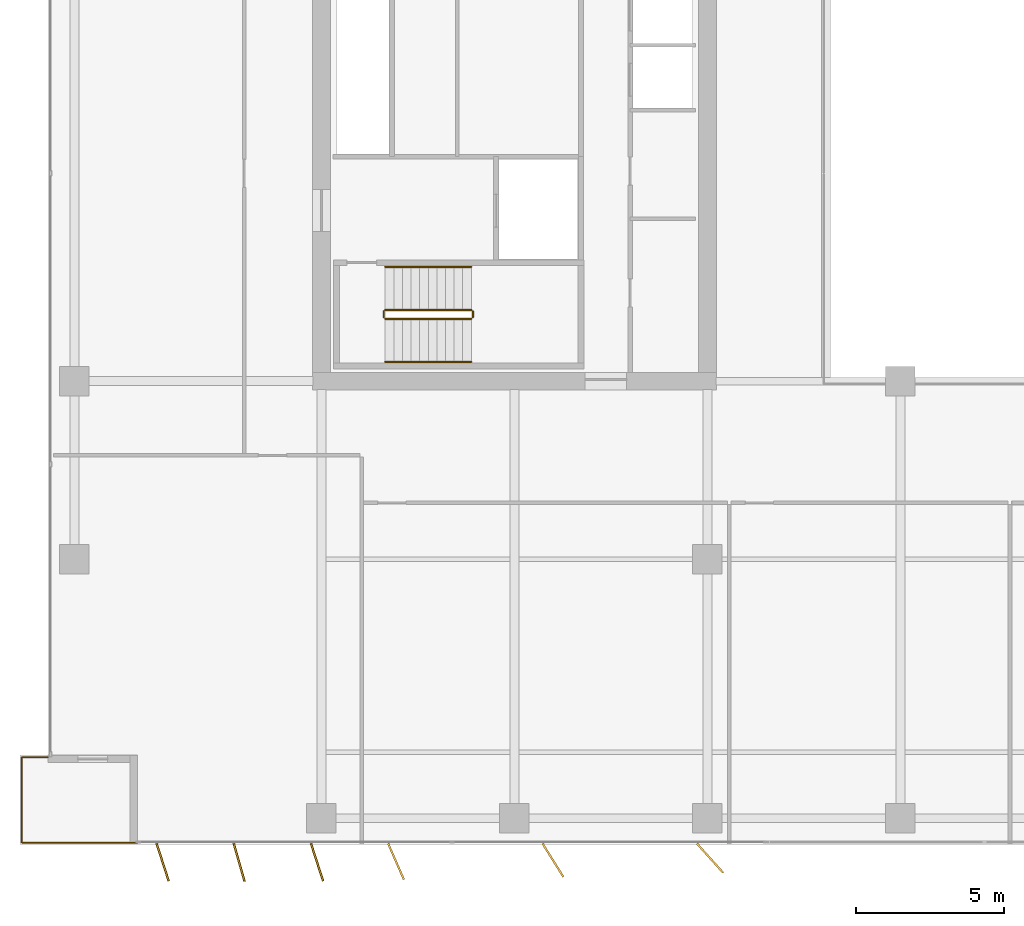
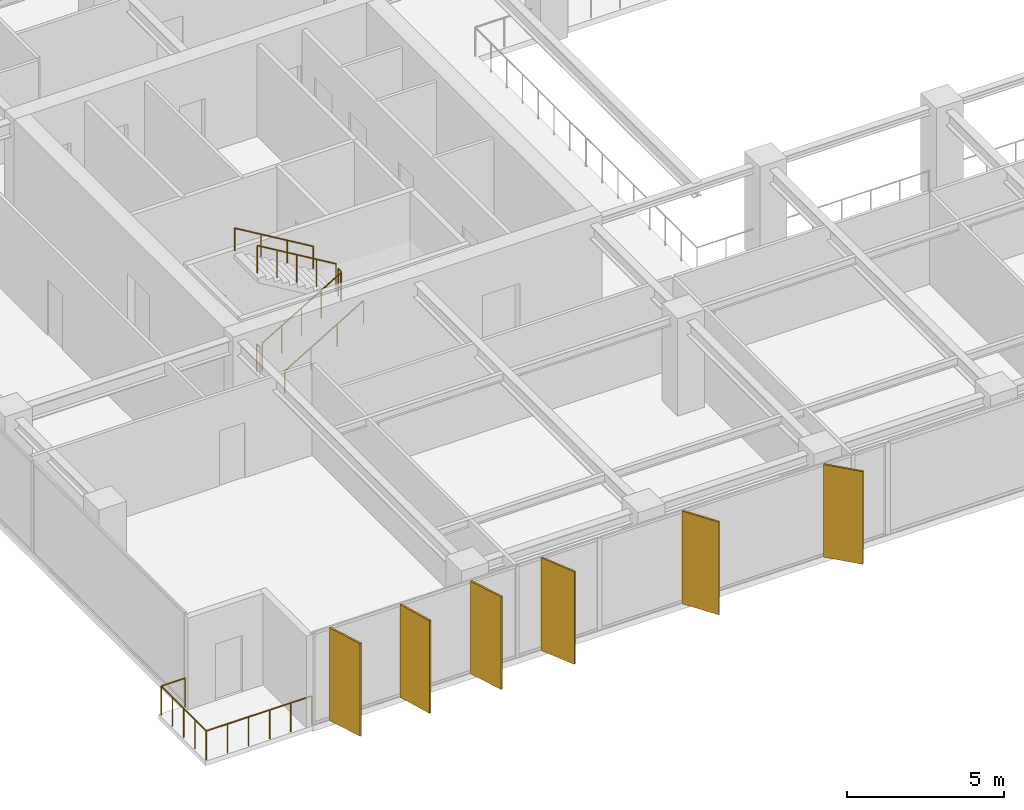
# One storey, part 19 of 22: 7 railings, 6 shading devices.
"""IFC4 building model written with IfcOpenShell, lengths in metres."""

from ifc_helpers import new_model, si_unit, direction, frame, origin, origin_2d, place, context, subcontext, project, spatial, rectangle, circle, extrude, material, layer, layer_set, type_object, element, save


model = new_model("IFC4")

# Units and contexts
model_context = context("Model", 3, precision=1e-05, world=origin(), true_north=direction((0.0, 1.0)))
body_context = subcontext(model_context, "Body", "Model", "MODEL_VIEW")
ifc_project = project(units=[si_unit("LENGTHUNIT", "METRE"), si_unit("AREAUNIT", "SQUARE_METRE"), si_unit("VOLUMEUNIT", "CUBIC_METRE"), si_unit("PLANEANGLEUNIT", "RADIAN"), si_unit("MASSUNIT", "GRAM", prefix="KILO")], contexts=[model_context])

# Site, building, storey
site_placement = place(None, origin())
site = spatial("IfcSite", under=ifc_project, at=site_placement, CompositionType="ELEMENT")
building_placement = place(site_placement, origin())
building = spatial("IfcBuilding", under=site, at=building_placement, Name="Putna Gate Headquarters", CompositionType="ELEMENT")
storey_placement = place(building_placement, frame((0.0, 0.0, 167.0)))
storey = spatial("IfcBuildingStorey", under=building, at=storey_placement, Name="L41", CompositionType="ELEMENT", Elevation=167.0)

# Railings
ifc_material_1 = material(Name="Powder-coated steel stair guardrail", Category="steel")
railing_type_1 = type_object("IfcRailingType", Name="RAIL-STAIR-GUARD-1100", PredefinedType="GUARDRAIL", material=ifc_material_1)
railing_1_placement = place(storey_placement, frame((15.14990234375, 21.10009765625, 0.172607421875)))
element("IfcRailing", 1, at=railing_1_placement, inside=storey, type_object=railing_type_1, Name="L41 ST1 stair guard 1", PredefinedType="GUARDRAIL", context=body_context, shape_type="SweptSolid", body=[
    extrude(circle(Radius=0.02392578125, at=origin_2d()), frame((0.0, 0.0, 1.076171875), z_axis=(0.859160404282, 0.0, 0.51170636083), x_axis=(0.0, 1.0, 0.0)), (0.0, 0.0, 1.0), 3.37548828125),
    extrude(circle(Radius=0.02099609375, at=origin_2d()), origin(), (0.0, 0.0, 1.0), 1.052001953125),
    extrude(circle(Radius=0.02099609375, at=origin_2d()), frame((0.72509765625, 0.0, 0.431884765625)), (0.0, 0.0, 1.0), 1.052001953125),
    extrude(circle(Radius=0.02099609375, at=origin_2d()), frame((1.4501953125, 0.0, 0.86376953125)), (0.0, 0.0, 1.0), 1.052001953125),
    extrude(circle(Radius=0.02099609375, at=origin_2d()), frame((2.175048828125, 0.0, 1.29541015625)), (0.0, 0.0, 1.0), 1.052001953125),
    extrude(circle(Radius=0.02099609375, at=origin_2d()), frame((2.900146484375, 0.0, 1.727294921875)), (0.0, 0.0, 1.0), 1.052001953125),
])
railing_2_placement = place(storey_placement, frame((18.10009765625, 21.14990234375, 1.89990234375)))
element("IfcRailing", 2, at=railing_2_placement, inside=storey, type_object=railing_type_1, Name="L41 ST1 stair guard 2", PredefinedType="GUARDRAIL", context=body_context, shape_type="SweptSolid", body=[
    extrude(circle(Radius=0.02392578125, at=origin_2d()), frame((0.0, 0.0, 1.076171875), z_axis=(0.0, 1.0, 0.0), x_axis=(-1.0, 0.0, 0.0)), (0.0, 0.0, 1.0), 0.2001953125),
    extrude(circle(Radius=0.02099609375, at=origin_2d()), origin(), (0.0, 0.0, 1.0), 1.052001953125),
    extrude(circle(Radius=0.02099609375, at=origin_2d()), frame((0.0, 0.2001953125, 0.0)), (0.0, 0.0, 1.0), 1.052001953125),
])
railing_3_placement = place(storey_placement, frame((18.050048828125, 21.39990234375, 2.07275390625)))
element("IfcRailing", 3, at=railing_3_placement, inside=storey, type_object=railing_type_1, Name="L41 ST1 stair guard 3", PredefinedType="GUARDRAIL", context=body_context, shape_type="SweptSolid", body=[
    extrude(circle(Radius=0.02392578125, at=origin_2d()), frame((0.0, 0.0, 1.076171875), z_axis=(-0.859160404282, 0.0, 0.51170636083), x_axis=(0.0, -1.0, 0.0)), (0.0, 0.0, 1.0), 3.37548828125),
    extrude(circle(Radius=0.02099609375, at=origin_2d()), origin(), (0.0, 0.0, 1.0), 1.052001953125),
    extrude(circle(Radius=0.02099609375, at=origin_2d()), frame((-0.72509765625, 0.0, 0.431884765625)), (0.0, 0.0, 1.0), 1.052001953125),
    extrude(circle(Radius=0.02099609375, at=origin_2d()), frame((-1.4501953125, 0.0, 0.86376953125)), (0.0, 0.0, 1.0), 1.052001953125),
    extrude(circle(Radius=0.02099609375, at=origin_2d()), frame((-2.175048828125, 0.0, 1.29541015625)), (0.0, 0.0, 1.0), 1.052001953125),
    extrude(circle(Radius=0.02099609375, at=origin_2d()), frame((-2.900146484375, 0.0, 1.727294921875)), (0.0, 0.0, 1.0), 1.052001953125),
])
railing_4_placement = place(storey_placement, frame((15.10009765625, 21.14990234375, 0.0)))
element("IfcRailing", 4, at=railing_4_placement, inside=storey, type_object=railing_type_1, Name="L41 ST1 stair guard 4", PredefinedType="GUARDRAIL", context=body_context, shape_type="SweptSolid", body=[
    extrude(circle(Radius=0.02392578125, at=origin_2d()), frame((0.0, 0.0, 1.076171875), z_axis=(0.0, 1.0, 0.0), x_axis=(-1.0, 0.0, 0.0)), (0.0, 0.0, 1.0), 0.2001953125),
    extrude(circle(Radius=0.02099609375, at=origin_2d()), origin(), (0.0, 0.0, 1.0), 1.052001953125),
    extrude(circle(Radius=0.02099609375, at=origin_2d()), frame((0.0, 0.2001953125, 0.0)), (0.0, 0.0, 1.0), 1.052001953125),
])
ifc_material_2 = material(Name="Brushed stainless steel handrail", Category="steel")
railing_type_2 = type_object("IfcRailingType", Name="RAIL-STAIR-HAND-900", PredefinedType="HANDRAIL", material=ifc_material_2)
railing_5_placement = place(storey_placement, frame((15.14990234375, 19.64990234375, 0.172607421875)))
element("IfcRailing", 5, at=railing_5_placement, inside=storey, type_object=railing_type_2, Name="L41 ST1 stair handrail 1", PredefinedType="HANDRAIL", context=body_context, shape_type="SweptSolid", body=[
    extrude(circle(Radius=0.02392578125, at=origin_2d()), frame((0.0, 0.0, 0.8759765625), z_axis=(0.859160404282, 0.0, 0.51170636083), x_axis=(0.0, 1.0, 0.0)), (0.0, 0.0, 1.0), 3.37548828125),
    extrude(circle(Radius=0.02099609375, at=origin_2d()), origin(), (0.0, 0.0, 1.0), 0.851806640625),
    extrude(circle(Radius=0.02099609375, at=origin_2d()), frame((0.966796875, 0.0, 0.57568359375)), (0.0, 0.0, 1.0), 0.851806640625),
    extrude(circle(Radius=0.02099609375, at=origin_2d()), frame((1.933349609375, 0.0, 1.151611328125)), (0.0, 0.0, 1.0), 0.851806640625),
    extrude(circle(Radius=0.02099609375, at=origin_2d()), frame((2.900146484375, 0.0, 1.727294921875)), (0.0, 0.0, 1.0), 0.851806640625),
])
railing_6_placement = place(storey_placement, frame((18.050048828125, 22.85009765625, 2.07275390625)))
element("IfcRailing", 6, at=railing_6_placement, inside=storey, type_object=railing_type_2, Name="L41 ST1 stair handrail 2", PredefinedType="HANDRAIL", context=body_context, shape_type="SweptSolid", body=[
    extrude(circle(Radius=0.02392578125, at=origin_2d()), frame((0.0, 0.0, 0.8759765625), z_axis=(-0.859160404282, 0.0, 0.51170636083), x_axis=(0.0, -1.0, 0.0)), (0.0, 0.0, 1.0), 3.37548828125),
    extrude(circle(Radius=0.02099609375, at=origin_2d()), origin(), (0.0, 0.0, 1.0), 0.851806640625),
    extrude(circle(Radius=0.02099609375, at=origin_2d()), frame((-0.966796875, 0.0, 0.57568359375)), (0.0, 0.0, 1.0), 0.851806640625),
    extrude(circle(Radius=0.02099609375, at=origin_2d()), frame((-1.933349609375, 0.0, 1.151611328125)), (0.0, 0.0, 1.0), 0.851806640625),
    extrude(circle(Radius=0.02099609375, at=origin_2d()), frame((-2.900146484375, 0.0, 1.727294921875)), (0.0, 0.0, 1.0), 0.851806640625),
])
ifc_material_3 = material(Name="Anodised bronze steel and laminated glass guardrail", Category="steel")
railing_type_3 = type_object("IfcRailingType", Name="RAIL-TERR-GUARD-1150", PredefinedType="GUARDRAIL", material=ifc_material_3)
railing_7_placement = place(storey_placement, frame((6.800048828125, 3.4599609375, 0.0)))
element("IfcRailing", 7, at=railing_7_placement, inside=storey, type_object=railing_type_3, Name="L41 Spiral Sky Terrace Guardrail SW", PredefinedType="GUARDRAIL", context=body_context, shape_type="SweptSolid", body=[
    extrude(circle(Radius=0.02392578125, at=origin_2d()), frame((0.0, 0.0, 1.1259765625), z_axis=(-1.0, 0.0, 0.0), x_axis=(0.0, -1.0, 0.0)), (0.0, 0.0, 1.0), 3.89013671875),
    extrude(circle(Radius=0.02392578125, at=origin_2d()), frame((-3.89013671875, 0.0, 1.1259765625), z_axis=(0.0, 1.0, 0.0), x_axis=(-1.0, 0.0, 0.0)), (0.0, 0.0, 1.0), 2.880126953125),
    extrude(circle(Radius=0.02392578125, at=origin_2d()), frame((-3.89013671875, 2.880126953125, 1.1259765625), z_axis=(1.0, 0.0, 0.0), x_axis=(0.0, 1.0, 0.0)), (0.0, 0.0, 1.0), 0.89013671875),
    extrude(circle(Radius=0.02099609375, at=origin_2d()), origin(), (0.0, 0.0, 1.0), 1.101806640625),
    extrude(circle(Radius=0.02099609375, at=origin_2d()), frame((-0.778076171875, 0.0, 0.0)), (0.0, 0.0, 1.0), 1.101806640625),
    extrude(circle(Radius=0.02099609375, at=origin_2d()), frame((-1.55615234375, 0.0, 0.0)), (0.0, 0.0, 1.0), 1.101806640625),
    extrude(circle(Radius=0.02099609375, at=origin_2d()), frame((-2.333984375, 0.0, 0.0)), (0.0, 0.0, 1.0), 1.101806640625),
    extrude(circle(Radius=0.02099609375, at=origin_2d()), frame((-3.112060546875, 0.0, 0.0)), (0.0, 0.0, 1.0), 1.101806640625),
    extrude(circle(Radius=0.02099609375, at=origin_2d()), frame((-3.89013671875, 0.0, 0.0)), (0.0, 0.0, 1.0), 1.101806640625),
    extrude(circle(Radius=0.02099609375, at=origin_2d()), frame((-3.89013671875, 0.719970703125, 0.0)), (0.0, 0.0, 1.0), 1.101806640625),
    extrude(circle(Radius=0.02099609375, at=origin_2d()), frame((-3.89013671875, 1.43994140625, 0.0)), (0.0, 0.0, 1.0), 1.101806640625),
    extrude(circle(Radius=0.02099609375, at=origin_2d()), frame((-3.89013671875, 2.16015625, 0.0)), (0.0, 0.0, 1.0), 1.101806640625),
    extrude(circle(Radius=0.02099609375, at=origin_2d()), frame((-3.89013671875, 2.880126953125, 0.0)), (0.0, 0.0, 1.0), 1.101806640625),
    extrude(circle(Radius=0.02099609375, at=origin_2d()), frame((-3.0, 2.880126953125, 0.0)), (0.0, 0.0, 1.0), 1.101806640625),
])

# Shading devices
ifc_material_4 = material(Name="Anodised architectural bronze aluminium fin", Category="aluminium")
ifc_layer = layer(ifc_material_4, 0.06494140625)
ifc_layer_set = layer_set([ifc_layer], Name="Anodised architectural bronze aluminium fin")
shading_device_type = type_object("IfcShadingDeviceType", Name="SHADE-BRONZE-FIN-1320", PredefinedType="USERDEFINED", material=ifc_layer_set)
for number, where, z_axis, x_axis, name in (
    (8, (7.65380859375, 2.797119140625, -0.02001953125), (0.0, 0.0, 1.0), (0.308684994204, -0.951164325631, 0.0), "L41 Bronze Vertical Shading Fin S1"),
    (9, (10.23193359375, 2.79052734375, -0.02001953125), (0.0, 0.0, 1.0), (0.275637355817, -0.961261695938, 0.0), "L41 Bronze Vertical Shading Fin S2"),
    (10, (12.853759765625, 2.797119140625, -0.02001953125), (0.0, 0.0, 1.0), (0.308684994204, -0.951164325631, 0.0), "L41 Bronze Vertical Shading Fin S3"),
    (11, (15.514404296875, 2.8203125, -0.02001953125), (0.0, 0.0, 1.0), (0.400668879095, -0.916222925562, 0.0), "L41 Bronze Vertical Shading Fin S4"),
    (12, (20.80029296875, 2.865478515625, -0.02001953125), (0.0, 0.0, 1.0), (0.530659123936, -0.847585331506, 0.0), "L41 Bronze Vertical Shading Fin S5"),
    (13, (26.091552734375, 2.9345703125, -0.02001953125), (0.0, 0.0, 1.0), (0.669130606359, -0.743144825477, 0.0), "L41 Bronze Vertical Shading Fin S6"),
):
    element("IfcShadingDevice", number, at=place(storey_placement, frame(where, z_axis=z_axis, x_axis=x_axis)), inside=storey, type_object=shading_device_type, Name=name, ObjectType="FIN", PredefinedType="USERDEFINED", context=body_context, shape_type="SweptSolid", body=[
        extrude(rectangle(XDim=1.320068359375, YDim=0.06494140625, at=origin_2d()), origin(), (0.0, 0.0, 1.0), 3.612060546875),
    ])

save(model, "model.ifc")
